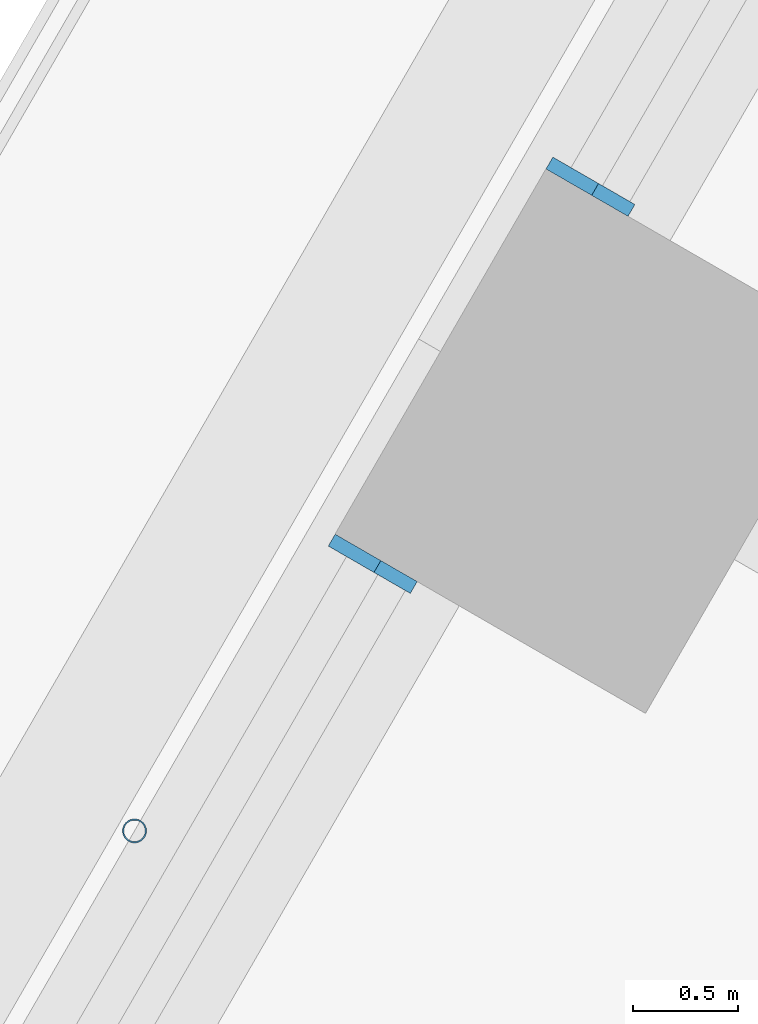
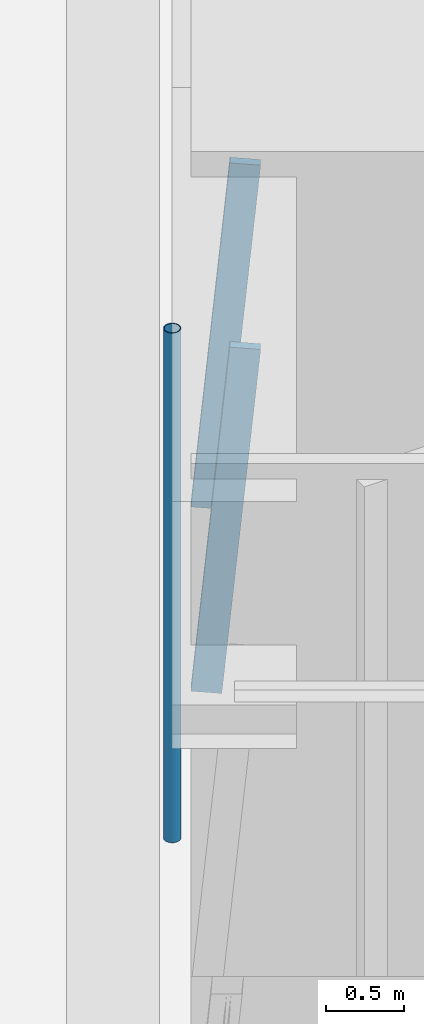
# One storey, part 7 of 24: 3 members, 2 elements without a shape of their own.
"""IFC4 building model written with IfcOpenShell, lengths in metres."""

from ifc_helpers import new_model, si_unit, direction, frame, origin, origin_2d, place, context, subcontext, project, spatial, rectangle, hollow_circle, extrude, material, material_profile, profile_set, type_object, element, aggregate, save


model = new_model("IFC4")

# Units and contexts
model_context = context("Model", 3, precision=1e-05, world=origin(), true_north=direction((0.0, 1.0)))
body_context = subcontext(model_context, "Body", "Model", "MODEL_VIEW")
ifc_project = project(units=[si_unit("LENGTHUNIT", "METRE"), si_unit("AREAUNIT", "SQUARE_METRE"), si_unit("VOLUMEUNIT", "CUBIC_METRE"), si_unit("PLANEANGLEUNIT", "RADIAN"), si_unit("MASSUNIT", "GRAM", prefix="KILO")], contexts=[model_context])

# Site, building, storey
site_placement = place(None, origin())
site = spatial("IfcSite", under=ifc_project, at=site_placement, CompositionType="ELEMENT")
building_placement = place(site_placement, origin())
building = spatial("IfcBuilding", under=site, at=building_placement, Name="Tarfa Lantern Tower", CompositionType="ELEMENT")
storey_placement = place(building_placement, frame((0.0, 0.0, 73.89990234375)))
storey = spatial("IfcBuildingStorey", under=building, at=storey_placement, Name="L16", CompositionType="ELEMENT", Elevation=73.89990234375)

# Curtain wall, member
ifc_material_1 = material(Name="Aluminium framed curtain wall", Category="aluminium")
curtain_wall_type = type_object("IfcCurtainWallType", Name="CW1 CANTED GLAZING LOW ZONE 2700", PredefinedType="USERDEFINED", material=ifc_material_1)
curtain_wall_1_placement = place(storey_placement, origin())
curtain_wall_1 = element("IfcCurtainWall", 1, at=curtain_wall_1_placement, inside=storey, type_object=curtain_wall_type, Name="CW1 NW L16", ObjectType="CURTAIN WALL", PredefinedType="USERDEFINED")
ifc_material_2 = material(Name="Aluminium mullion", Category="aluminium")
ifc_material_profile_1 = material_profile(ifc_material_2, rectangle(XDim=0.06494140625, YDim=0.199951171875, at=origin_2d()), Name="AL MULLION 65x200")
ifc_profile_set_1 = profile_set([ifc_material_profile_1], Name="Aluminium mullion")
member_type_1 = type_object("IfcMemberType", Name="CWM1 MULLION 65x200", PredefinedType="MULLION", material=ifc_profile_set_1)
member_1_placement = place(storey_placement, frame((-31.536376953125, 13.177490234375, 0.0), z_axis=(0.079857261722, -0.046095736191, 0.995739926314), x_axis=(0.499919672301, 0.866071776036, 0.0)))
member_1 = element("IfcMember", 2, at=member_1_placement, type_object=member_type_1, Name="CW1 mullion 2", PredefinedType="MULLION", context=body_context, shape_type="SweptSolid", body=[
    extrude(rectangle(XDim=0.06494140625, YDim=0.199951171875, at=origin_2d()), origin(), (0.0, 0.0, 1.0), 2.711669921875),
])
aggregate(curtain_wall_1, [member_1])

curtain_wall_2_placement = place(storey_placement, origin())
curtain_wall_2 = element("IfcCurtainWall", 3, at=curtain_wall_2_placement, inside=storey, type_object=curtain_wall_type, Name="CW1 NW L16", ObjectType="CURTAIN WALL", PredefinedType="USERDEFINED")
member_2_placement = place(storey_placement, frame((-32.56884765625, 11.38916015625, 0.0), z_axis=(0.079857261722, -0.046095736191, 0.995739926314), x_axis=(0.499919672301, 0.866071776036, 0.0)))
member_2 = element("IfcMember", 4, at=member_2_placement, type_object=member_type_1, Name="CW1 mullion 1", PredefinedType="MULLION", context=body_context, shape_type="SweptSolid", body=[
    extrude(rectangle(XDim=0.06494140625, YDim=0.199951171875, at=origin_2d()), origin(), (0.0, 0.0, 1.0), 2.711669921875),
])
aggregate(curtain_wall_2, [member_2])

# Member
ifc_material_3 = material(Name="Steel S355", Category="steel")
ifc_material_profile_2 = material_profile(ifc_material_3, hollow_circle(Radius=0.05712890625, WallThickness=0.00634765625, at=origin_2d()), Name="CHS114.3x6.3")
ifc_profile_set_2 = profile_set([ifc_material_profile_2], Name="Steel S355")
member_type_2 = type_object("IfcMemberType", Name="TR1 GREEN WALL TRELLIS CHS114.3x6.3", PredefinedType="USERDEFINED", material=ifc_profile_set_2)
member_3_placement = place(storey_placement, frame((-33.59033203125, 10.06005859375, 0.0), z_axis=(0.0, 0.0, 1.0), x_axis=(1.0, 0.0, 0.0)))
element("IfcMember", 5, at=member_3_placement, inside=storey, type_object=member_type_2, Name="Trellis post NW 2", ObjectType="TRELLIS", PredefinedType="USERDEFINED", context=body_context, shape_type="SweptSolid", body=[
    extrude(hollow_circle(Radius=0.05712890625, WallThickness=0.00634765625, at=origin_2d()), origin(), (0.0, 0.0, 1.0), 4.0),
])

save(model, "model.ifc")
